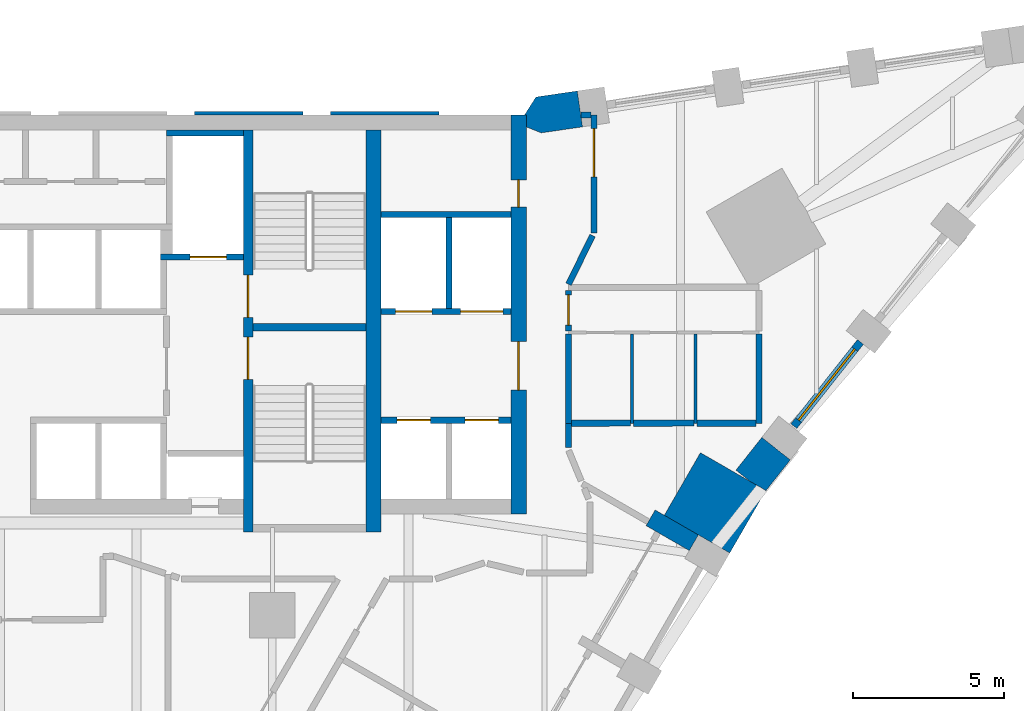
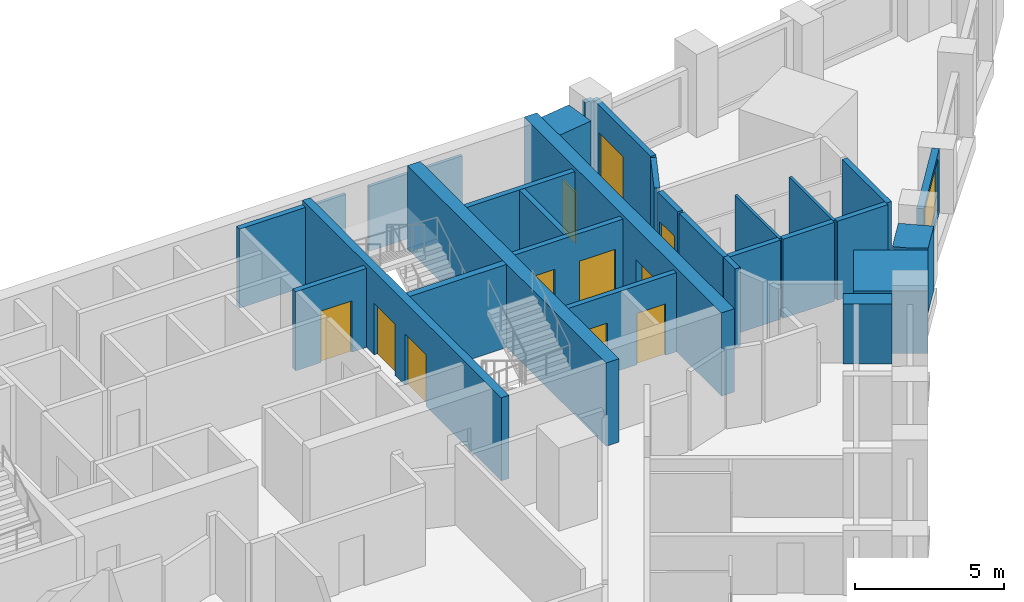
# One storey, part 8 of 11: 29 walls, 11 doors, 1 window, 12 openings.
"""IFC4 building model written with IfcOpenShell, lengths in metres."""

from ifc_helpers import new_model, si_unit, direction, frame, frame_2d, origin, place, context, subcontext, project, spatial, polyline, rectangle, outline, extrude, material, layer, layer_set, type_object, element, fill, save


model = new_model("IFC4")

# Units and contexts
model_context = context("Model", 3, precision=1e-05, world=origin(), true_north=direction((0.0, 1.0)))
body_context = subcontext(model_context, "Body", "Model", "MODEL_VIEW")
ifc_project = project(units=[si_unit("LENGTHUNIT", "METRE"), si_unit("AREAUNIT", "SQUARE_METRE"), si_unit("VOLUMEUNIT", "CUBIC_METRE"), si_unit("PLANEANGLEUNIT", "RADIAN"), si_unit("MASSUNIT", "GRAM", prefix="KILO")], contexts=[model_context])

# Site, building, storey
site_placement = place(None, origin())
site = spatial("IfcSite", under=ifc_project, at=site_placement, CompositionType="ELEMENT")
building_placement = place(site_placement, origin())
building = spatial("IfcBuilding", under=site, at=building_placement, Name="Calabash Gate Tower", CompositionType="ELEMENT")
storey_placement = place(building_placement, frame((0.0, 0.0, 115.60009765625)))
storey = spatial("IfcBuildingStorey", under=building, at=storey_placement, Name="L26", CompositionType="ELEMENT", Elevation=115.60009765625)

# Walls
ifc_material_1 = material(Name="Terracotta brick masonry, exposed face", Category="masonry")
ifc_layer_1 = layer(ifc_material_1, 2.5)
ifc_layer_set_1 = layer_set([ifc_layer_1], Name="Brick corner mass wall 2500")
wall_type_1 = type_object("IfcWallType", Name="Brick corner mass wall 2500", PredefinedType="SOLIDWALL", material=ifc_layer_set_1)
wall_1_placement = place(storey_placement, origin())
element("IfcWall", 1, at=wall_1_placement, inside=storey, type_object=wall_type_1, Name="Brick corner pier S07 2", PredefinedType="SOLIDWALL", context=body_context, shape_type="SweptSolid", body=[
    extrude(outline(polyline([(21.96630859375, 5.80859375), (23.09228515625, 5.15869140625), (23.09228515625, 5.15869140625), (24.131591796875, 4.558837890625), (25.326416015625, 6.628173828125), (23.161376953125, 7.878173828125), (21.96630859375, 5.80859375)])), origin(), (0.0, 0.0, 1.0), 2.5517578125),
])
ifc_material_2 = material(Name="Terracotta brick masonry, exposed face", Category="masonry")
ifc_layer_2 = layer(ifc_material_2, 1.199951171875)
ifc_layer_set_2 = layer_set([ifc_layer_2], Name="Brick end wall 1200")
wall_type_2 = type_object("IfcWallType", Name="Brick end wall 1200", PredefinedType="SOLIDWALL", material=ifc_layer_set_2)
wall_2_placement = place(storey_placement, origin())
element("IfcWall", 2, at=wall_2_placement, inside=storey, type_object=wall_type_2, Name="Brick end wall S07 1", PredefinedType="SOLIDWALL", context=body_context, shape_type="SweptSolid", body=[
    extrude(outline(polyline([(25.193115234375, 8.38427734375), (24.336181640625, 7.30029296875), (24.806640625, 6.92822265625), (25.326416015625, 6.628173828125), (25.304443359375, 6.59033203125), (26.134521484375, 7.639892578125), (25.193115234375, 8.38427734375)])), origin(), (0.0, 0.0, 1.0), 2.6298828125),
])
wall_3_placement = place(storey_placement, origin())
element("IfcWall", 3, at=wall_3_placement, inside=storey, type_object=wall_type_2, Name="Brick end wall S07 3", PredefinedType="SOLIDWALL", context=body_context, shape_type="SweptSolid", body=[
    extrude(outline(polyline([(17.7197265625, 19.646240234375), (17.341796875, 19.052490234375), (17.39990234375, 19.052490234375), (17.39990234375, 18.655517578125), (17.893798828125, 18.458984375), (19.2607421875, 18.6591796875), (19.0869140625, 19.8466796875), (17.7197265625, 19.646240234375)])), origin(), (0.0, 0.0, 1.0), 2.64990234375),
])
ifc_material_3 = material(Name="Terracotta brick masonry, exposed face", Category="masonry")
ifc_layer_3 = layer(ifc_material_3, 0.300048828125)
ifc_layer_set_3 = layer_set([ifc_layer_3], Name="Brick loggia cheek wall 300")
wall_type_3 = type_object("IfcWallType", Name="Brick loggia cheek wall 300", PredefinedType="SOLIDWALL", material=ifc_layer_set_3)
wall_4_placement = place(storey_placement, frame((22.942138671875, 4.89892578125, 0.0), z_axis=(0.0, 0.0, 1.0), x_axis=(-0.866003217194, 0.500038426333, 0.0)))
element("IfcWall", 4, at=wall_4_placement, inside=storey, type_object=wall_type_3, Name="Loggia cheek S07 SE2.8", PredefinedType="SOLIDWALL", context=body_context, shape_type="SweptSolid", body=[
    extrude(rectangle(XDim=1.649658203125, YDim=0.60009765625, at=frame_2d((0.82470703125, 0.0))), origin(), (0.0, 0.0, 1.0), 2.449951171875),
])
ifc_material_4 = material(Name="Concrete C80/95", Category="concrete")
ifc_layer_4 = layer(ifc_material_4, 0.25)
ifc_layer_set_4 = layer_set([ifc_layer_4], Name="Core wall 250 Concrete C80/95")
wall_type_4 = type_object("IfcWallType", Name="Core wall 250 Concrete C80/95", PredefinedType="SHEAR", material=ifc_layer_set_4)
wall_5_placement = place(storey_placement, frame((8.35009765625, 12.027587890625, 0.0), z_axis=(0.0, 0.0, 1.0), x_axis=(1.0, 0.0, 0.0)))
element("IfcWall", 5, at=wall_5_placement, inside=storey, type_object=wall_type_4, Name="Core wall Z2-MIDE L26", PredefinedType="SHEAR", context=body_context, shape_type="SweptSolid", body=[
    extrude(rectangle(XDim=3.75, YDim=0.25, at=frame_2d((1.875, 0.0))), origin(), (0.0, 0.0, 1.0), 3.39990234375),
])

# Wall, openings, doors
ifc_material_5 = material(Name="Concrete C80/95", Category="concrete")
ifc_layer_5 = layer(ifc_material_5, 0.300048828125)
ifc_layer_set_5 = layer_set([ifc_layer_5], Name="Core wall 300 Concrete C80/95")
wall_type_5 = type_object("IfcWallType", Name="Core wall 300 Concrete C80/95", PredefinedType="SHEAR", material=ifc_layer_set_5)
wall_6_placement = place(storey_placement, frame((8.199951171875, 5.252685546875, 0.0), z_axis=(0.0, 0.0, 1.0), x_axis=(0.0, 1.0, 0.0)))
wall_6 = element("IfcWall", 6, at=wall_6_placement, inside=storey, type_object=wall_type_5, Name="Core wall Z2-PARTE L26", PredefinedType="SHEAR", context=body_context, shape_type="SweptSolid", body=[
    extrude(rectangle(XDim=13.2998046875, YDim=0.300048828125, at=frame_2d((6.64990234375, 0.0))), origin(), (0.0, 0.0, 1.0), 3.39990234375),
])
opening_1_placement = place(wall_6_placement, frame((7.10009765625, 0.0, 0.0)))
opening_1 = element("IfcOpeningElement", 7, at=opening_1_placement, cuts=wall_6, Name="Opening H7-016", PredefinedType="OPENING", context=body_context, shape_type="SweptSolid", body=[
    extrude(rectangle(XDim=1.39990234375, YDim=2.10009765625, at=frame_2d((0.699951171875, 1.050048828125))), frame((0.0, 0.159912109375, 0.0), z_axis=(0.0, -1.0, 0.0), x_axis=(1.0, 0.0, 0.0)), (0.0, 0.0, 1.0), 0.320068359375),
])
opening_2_placement = place(wall_6_placement, frame((5.050048828125, 0.0, 0.0)))
opening_2 = element("IfcOpeningElement", 8, at=opening_2_placement, cuts=wall_6, Name="Opening H7-017", PredefinedType="OPENING", context=body_context, shape_type="SweptSolid", body=[
    extrude(rectangle(XDim=1.39990234375, YDim=2.10009765625, at=frame_2d((0.699951171875, 1.050048828125))), frame((0.0, 0.159912109375, 0.0), z_axis=(0.0, -1.0, 0.0), x_axis=(1.0, 0.0, 0.0)), (0.0, 0.0, 1.0), 0.320068359375),
])
ifc_material_6 = material(Name="Steel fire door set with fire-resisting glazing", Category="steel")
door_type_1 = type_object("IfcDoorType", Name="Fire door D05 1400x2100 FD90", OperationType="NOTDEFINED", PredefinedType="DOOR", material=ifc_material_6)
door_1_placement = place(opening_1_placement, origin())
door_1 = element("IfcDoor", 9, at=door_1_placement, inside=storey, type_object=door_type_1, Name="Exit stair door ST3", OperationType="SINGLE_SWING_RIGHT", OverallHeight=2.10009765625, OverallWidth=1.39990234375, PredefinedType="DOOR", context=body_context, shape_type="SweptSolid", body=[
    extrude(rectangle(XDim=1.39990234375, YDim=2.10009765625, at=frame_2d((0.699951171875, 1.050048828125))), frame((0.0, 0.02490234375, 0.0), z_axis=(0.0, -1.0, 0.0), x_axis=(1.0, 0.0, 0.0)), (0.0, 0.0, 1.0), 0.050048828125),
])
fill(opening_1, door_1)
door_2_placement = place(opening_2_placement, origin())
door_2 = element("IfcDoor", 10, at=door_2_placement, inside=storey, type_object=door_type_1, Name="Exit stair door ST4", OperationType="SINGLE_SWING_LEFT", OverallHeight=2.10009765625, OverallWidth=1.39990234375, PredefinedType="DOOR", context=body_context, shape_type="SweptSolid", body=[
    extrude(rectangle(XDim=1.39990234375, YDim=2.10009765625, at=frame_2d((0.699951171875, 1.050048828125))), frame((0.0, 0.02490234375, 0.0), z_axis=(0.0, -1.0, 0.0), x_axis=(1.0, 0.0, 0.0)), (0.0, 0.0, 1.0), 0.050048828125),
])
fill(opening_2, door_2)

# Wall
ifc_material_7 = material(Name="Concrete C80/95", Category="concrete")
ifc_layer_6 = layer(ifc_material_7, 0.5)
ifc_layer_set_6 = layer_set([ifc_layer_6], Name="Core wall 500 Concrete C80/95")
wall_type_6 = type_object("IfcWallType", Name="Core wall 500 Concrete C80/95", PredefinedType="SHEAR", material=ifc_layer_set_6)
wall_7_placement = place(storey_placement, frame((12.35009765625, 5.252685546875, 0.0), z_axis=(0.0, 0.0, 1.0), x_axis=(0.0, 1.0, 0.0)))
element("IfcWall", 11, at=wall_7_placement, inside=storey, type_object=wall_type_6, Name="Core wall Z2-COLE L26", PredefinedType="SHEAR", context=body_context, shape_type="SweptSolid", body=[
    extrude(rectangle(XDim=13.2998046875, YDim=0.5, at=frame_2d((6.64990234375, 0.0))), origin(), (0.0, 0.0, 1.0), 3.39990234375),
])

# Wall, openings, doors
wall_8_placement = place(storey_placement, frame((17.14990234375, 5.8525390625, 0.0), z_axis=(0.0, 0.0, 1.0), x_axis=(0.0, 1.0, 0.0)))
wall_8 = element("IfcWall", 12, at=wall_8_placement, inside=storey, type_object=wall_type_6, Name="Core wall Z2-ENDE L26", PredefinedType="SHEAR", context=body_context, shape_type="SweptSolid", body=[
    extrude(rectangle(XDim=13.199951171875, YDim=0.5, at=frame_2d((6.60009765625, 0.0))), origin(), (0.0, 0.0, 1.0), 3.39990234375),
])
opening_3_placement = place(wall_8_placement, frame((4.10009765625, 0.0, 0.0)))
opening_3 = element("IfcOpeningElement", 13, at=opening_3_placement, cuts=wall_8, Name="Opening H7-002", PredefinedType="OPENING", context=body_context, shape_type="SweptSolid", body=[
    extrude(rectangle(XDim=1.60009765625, YDim=2.10009765625, at=frame_2d((0.800048828125, 1.050048828125))), frame((0.0, 0.260009765625, 0.0), z_axis=(0.0, -1.0, 0.0), x_axis=(1.0, 0.0, 0.0)), (0.0, 0.0, 1.0), 0.52001953125),
])
opening_4_placement = place(wall_8_placement, frame((10.14990234375, 0.0, 0.0)))
opening_4 = element("IfcOpeningElement", 14, at=opening_4_placement, cuts=wall_8, Name="Opening H7-001", PredefinedType="OPENING", context=body_context, shape_type="SweptSolid", body=[
    extrude(rectangle(XDim=0.89990234375, YDim=2.10009765625, at=frame_2d((0.449951171875, 1.050048828125))), frame((0.0, 0.260009765625, 0.0), z_axis=(0.0, -1.0, 0.0), x_axis=(1.0, 0.0, 0.0)), (0.0, 0.0, 1.0), 0.52001953125),
])
ifc_material_8 = material(Name="Steel fire door set with fire-resisting glazing", Category="steel")
door_type_2 = type_object("IfcDoorType", Name="Double fire door D08 1600x2100 FD60", OperationType="DOUBLE_DOOR_SINGLE_SWING", PredefinedType="DOOR", material=ifc_material_8)
door_3_placement = place(opening_3_placement, origin())
door_3 = element("IfcDoor", 15, at=door_3_placement, inside=storey, type_object=door_type_2, Name="Low-rise Lift Lobby E door", OperationType="DOUBLE_DOOR_SINGLE_SWING", OverallHeight=2.10009765625, OverallWidth=1.60009765625, PredefinedType="DOOR", context=body_context, shape_type="SweptSolid", body=[
    extrude(rectangle(XDim=1.60009765625, YDim=2.10009765625, at=frame_2d((0.800048828125, 1.050048828125))), frame((0.0, 0.02490234375, 0.0), z_axis=(0.0, -1.0, 0.0), x_axis=(1.0, 0.0, 0.0)), (0.0, 0.0, 1.0), 0.050048828125),
])
fill(opening_3, door_3)
ifc_material_9 = material(Name="Steel fire door set with fire-resisting glazing", Category="steel")
door_type_3 = type_object("IfcDoorType", Name="Fire door D06 900x2100 FD60", OperationType="NOTDEFINED", PredefinedType="DOOR", material=ifc_material_9)
door_4_placement = place(opening_4_placement, origin())
door_4 = element("IfcDoor", 16, at=door_4_placement, inside=storey, type_object=door_type_3, Name="Cleaner's Store door", OperationType="SINGLE_SWING_LEFT", OverallHeight=2.10009765625, OverallWidth=0.89990234375, PredefinedType="DOOR", context=body_context, shape_type="SweptSolid", body=[
    extrude(rectangle(XDim=0.89990234375, YDim=2.10009765625, at=frame_2d((0.449951171875, 1.050048828125))), frame((0.0, 0.02490234375, 0.0), z_axis=(0.0, -1.0, 0.0), x_axis=(1.0, 0.0, 0.0)), (0.0, 0.0, 1.0), 0.050048828125),
])
fill(opening_4, door_4)

# Walls
ifc_material_10 = material(Name="Gypsum board on steel studs, mineral wool", Category="steel")
ifc_layer_7 = layer(ifc_material_10, 0.10009765625)
ifc_layer_set_7 = layer_set([ifc_layer_7], Name="Partition 100 gypsum board")
wall_type_7 = type_object("IfcWallType", Name="Partition 100 gypsum board", PredefinedType="PARTITIONING", material=ifc_layer_set_7)
for number, where, z_axis, x_axis, name in (
    (17, (20.900146484375, 8.852294921875, 0.0), (0.0, 0.0, 1.0), (0.000662525735, 0.99999978053, 0.0), "Partition"),
    (18, (23.000244140625, 8.852294921875, 0.0), (0.0, 0.0, 1.0), (0.000579710048, 0.999999831968, 0.0), "Partition"),
):
    element("IfcWall", number, at=place(storey_placement, frame(where, z_axis=z_axis, x_axis=x_axis)), inside=storey, type_object=wall_type_7, Name=name, PredefinedType="PARTITIONING", context=body_context, shape_type="SweptSolid", body=[
        extrude(rectangle(XDim=2.947998046875, YDim=0.10009765625, at=frame_2d((1.47412109375, 0.0))), origin(), (0.0, 0.0, 1.0), 3.22998046875),
    ])
ifc_material_11 = material(Name="Gypsum board on steel studs, mineral wool", Category="steel")
ifc_layer_8 = layer(ifc_material_11, 0.199951171875)
ifc_layer_set_8 = layer_set([ifc_layer_8], Name="Partition 200 gypsum board EI 60")
wall_type_8 = type_object("IfcWallType", Name="Partition 200 gypsum board EI 60", PredefinedType="PARTITIONING", material=ifc_layer_set_8)
wall_9_placement = place(storey_placement, frame((18.80078125, 8.052734375, 0.0), z_axis=(0.0, 0.0, 1.0), x_axis=(0.001527182092, 0.999998833857, 0.0)))
element("IfcWall", 19, at=wall_9_placement, inside=storey, type_object=wall_type_8, Name="Partition", PredefinedType="PARTITIONING", context=body_context, shape_type="SweptSolid", body=[
    extrude(rectangle(XDim=0.79931640625, YDim=0.199951171875, at=frame_2d((0.399658203125, 0.0))), origin(), (0.0, 0.0, 1.0), 3.22998046875),
])
wall_10_placement = place(storey_placement, frame((18.900146484375, 8.852294921875, 0.0), z_axis=(0.0, 0.0, 1.0), x_axis=(0.999999615941, 0.000876423853, 0.0)))
element("IfcWall", 20, at=wall_10_placement, inside=storey, type_object=wall_type_8, Name="Partition", PredefinedType="PARTITIONING", context=body_context, shape_type="SweptSolid", body=[
    extrude(rectangle(XDim=1.949951171875, YDim=0.199951171875, at=frame_2d((0.97509765625, 0.0))), origin(), (0.0, 0.0, 1.0), 3.22998046875),
])
wall_11_placement = place(storey_placement, frame((20.9501953125, 8.852294921875, 0.0), z_axis=(0.0, 0.0, 1.0), x_axis=(0.999999634833, 0.000854596196, 0.0)))
element("IfcWall", 21, at=wall_11_placement, inside=storey, type_object=wall_type_8, Name="Partition", PredefinedType="PARTITIONING", context=body_context, shape_type="SweptSolid", body=[
    extrude(rectangle(XDim=1.999755859375, YDim=0.199951171875, at=frame_2d((1.0, 0.0))), origin(), (0.0, 0.0, 1.0), 3.22998046875),
])
wall_12_placement = place(storey_placement, frame((23.05029296875, 8.852294921875, 0.0), z_axis=(0.0, 0.0, 1.0), x_axis=(1.0, 0.0, 0.0)))
element("IfcWall", 22, at=wall_12_placement, inside=storey, type_object=wall_type_8, Name="Partition", PredefinedType="PARTITIONING", context=body_context, shape_type="SweptSolid", body=[
    extrude(rectangle(XDim=1.94970703125, YDim=0.199951171875, at=frame_2d((0.974853515625, 0.0))), origin(), (0.0, 0.0, 1.0), 3.22998046875),
])
for number, where, z_axis, x_axis, name in (
    (23, (25.098388671875, 11.802001953125, 0.0), (0.0, 0.0, 1.0), (0.000579374179, -0.999999832163, 0.0), "Partition"),
    (24, (18.80029296875, 8.852294921875, 0.0), (0.0, 0.0, 1.0), (0.000579374179, 0.999999832163, 0.0), "Partition"),
):
    element("IfcWall", number, at=place(storey_placement, frame(where, z_axis=z_axis, x_axis=x_axis)), inside=storey, type_object=wall_type_8, Name=name, PredefinedType="PARTITIONING", context=body_context, shape_type="SweptSolid", body=[
        extrude(rectangle(XDim=2.94970703125, YDim=0.199951171875, at=frame_2d((1.474853515625, 0.0))), origin(), (0.0, 0.0, 1.0), 3.22998046875),
    ])

# Wall, opening, door
wall_13_placement = place(storey_placement, frame((18.80029296875, 11.90234375, 0.0), z_axis=(0.0, 0.0, 1.0), x_axis=(0.001267655628, 0.999999196524, 0.0)))
wall_13 = element("IfcWall", 25, at=wall_13_placement, inside=storey, type_object=wall_type_8, Name="Partition", PredefinedType="PARTITIONING", context=body_context, shape_type="SweptSolid", body=[
    extrude(rectangle(XDim=1.34814453125, YDim=0.199951171875, at=frame_2d((0.674072265625, 0.0))), origin(), (0.0, 0.0, 1.0), 3.22998046875),
])
opening_5_placement = place(wall_13_placement, frame((0.199951171875, 0.0, 0.0)))
opening_5 = element("IfcOpeningElement", 26, at=opening_5_placement, cuts=wall_13, Name="Opening 25-27-018", PredefinedType="OPENING", context=body_context, shape_type="SweptSolid", body=[
    extrude(rectangle(XDim=1.0, YDim=2.10009765625, at=frame_2d((0.5, 1.050048828125))), frame((0.0, 0.10986328125, 0.0), z_axis=(0.0, -1.0, 0.0), x_axis=(1.0, 0.0, 0.0)), (0.0, 0.0, 1.0), 0.219970703125),
])
ifc_material_12 = material(Name="Steel fire door set with fire-resisting glazing", Category="steel")
door_type_4 = type_object("IfcDoorType", Name="WD3 WC lobby door 1000x2100", OperationType="NOTDEFINED", PredefinedType="DOOR", material=ifc_material_12)
door_5_placement = place(opening_5_placement, origin())
door_5 = element("IfcDoor", 27, at=door_5_placement, inside=storey, type_object=door_type_4, Name="WC lobby door", OperationType="SINGLE_SWING_LEFT", OverallHeight=2.10009765625, OverallWidth=1.0, PredefinedType="DOOR", context=body_context, shape_type="SweptSolid", body=[
    extrude(rectangle(XDim=1.0, YDim=2.10009765625, at=frame_2d((0.5, 1.050048828125))), frame((0.0, 0.02490234375, 0.0), z_axis=(0.0, -1.0, 0.0), x_axis=(1.0, 0.0, 0.0)), (0.0, 0.0, 1.0), 0.050048828125),
])
fill(opening_5, door_5)

# Wall
wall_14_placement = place(storey_placement, frame((18.800537109375, 13.452392578125, 0.0), z_axis=(0.0, 0.0, 1.0), x_axis=(0.440230384159, 0.897884852786, 0.0)))
element("IfcWall", 28, at=wall_14_placement, inside=storey, type_object=wall_type_8, Name="Partition", PredefinedType="PARTITIONING", context=body_context, shape_type="SweptSolid", body=[
    extrude(rectangle(XDim=1.79345703125, YDim=0.199951171875, at=frame_2d((0.896728515625, 0.0))), origin(), (0.0, 0.0, 1.0), 3.22998046875),
])

# Wall, opening, door
wall_15_placement = place(storey_placement, frame((19.634033203125, 15.152587890625, 0.0), z_axis=(0.0, 0.0, 1.0), x_axis=(0.0, 1.0, 0.0)))
wall_15 = element("IfcWall", 29, at=wall_15_placement, inside=storey, type_object=wall_type_8, Name="Partition", PredefinedType="PARTITIONING", context=body_context, shape_type="SweptSolid", body=[
    extrude(rectangle(XDim=3.89990234375, YDim=0.199951171875, at=frame_2d((1.949951171875, 0.0))), origin(), (0.0, 0.0, 1.0), 3.22998046875),
])
opening_6_placement = place(wall_15_placement, frame((1.85009765625, 0.0, 0.0)))
opening_6 = element("IfcOpeningElement", 30, at=opening_6_placement, cuts=wall_15, Name="Opening 25-27-024", PredefinedType="OPENING", context=body_context, shape_type="SweptSolid", body=[
    extrude(rectangle(XDim=1.60009765625, YDim=2.10009765625, at=frame_2d((0.800048828125, 1.050048828125))), frame((0.0, 0.10986328125, 0.0), z_axis=(0.0, -1.0, 0.0), x_axis=(1.0, 0.0, 0.0)), (0.0, 0.0, 1.0), 0.219970703125),
])
ifc_material_13 = material(Name="Steel fire door set with fire-resisting glazing", Category="steel")
door_type_5 = type_object("IfcDoorType", Name="LD1 Lounge double door 1600x2100", OperationType="NOTDEFINED", PredefinedType="DOOR", material=ifc_material_13)
door_6_placement = place(opening_6_placement, origin())
door_6 = element("IfcDoor", 31, at=door_6_placement, inside=storey, type_object=door_type_5, Name="Lounge double door", OperationType="DOUBLE_DOOR_SINGLE_SWING", OverallHeight=2.10009765625, OverallWidth=1.60009765625, PredefinedType="DOOR", context=body_context, shape_type="SweptSolid", body=[
    extrude(rectangle(XDim=1.60009765625, YDim=2.10009765625, at=frame_2d((0.800048828125, 1.050048828125))), frame((0.0, 0.02490234375, 0.0), z_axis=(0.0, -1.0, 0.0), x_axis=(1.0, 0.0, 0.0)), (0.0, 0.0, 1.0), 0.050048828125),
])
fill(opening_6, door_6)

# Wall
wall_16_placement = place(storey_placement, frame((19.203125, 19.052734375, 0.0), z_axis=(0.0, 0.0, 1.0), x_axis=(0.999999728074, -0.000737462926, 0.0)))
element("IfcWall", 32, at=wall_16_placement, inside=storey, type_object=wall_type_8, Name="Partition", PredefinedType="PARTITIONING", context=body_context, shape_type="SweptSolid", body=[
    extrude(rectangle(XDim=0.3310546875, YDim=0.199951171875, at=frame_2d((0.16552734375, 0.0))), origin(), (0.0, 0.0, 1.0), 3.22998046875),
])

# Wall, opening, window
ifc_material_14 = material(Name="Aluminium framed window wall with insulated spandrel", Category="aluminium")
ifc_layer_9 = layer(ifc_material_14, 0.25)
ifc_layer_set_9 = layer_set([ifc_layer_9], Name="Prow window wall 250")
wall_type_9 = type_object("IfcWallType", Name="Prow window wall 250", PredefinedType="ELEMENTEDWALL", material=ifc_layer_set_9)
wall_17_placement = place(storey_placement, frame((26.253173828125, 8.757080078125, 0.0), z_axis=(0.0, 0.0, 1.0), x_axis=(0.620259189042, 0.784396926568, 0.0)))
wall_17 = element("IfcWall", 33, at=wall_17_placement, inside=storey, type_object=wall_type_9, Name="Prow window wall S07 wedge3.1", PredefinedType="ELEMENTEDWALL", context=body_context, shape_type="SweptSolid", body=[
    extrude(rectangle(XDim=3.552001953125, YDim=0.25, at=frame_2d((1.77587890625, 0.0))), origin(), (0.0, 0.0, 1.0), 2.6298828125),
])
opening_7_placement = place(wall_17_placement, frame((0.25, 0.0, 0.300048828125)))
opening_7 = element("IfcOpeningElement", 34, at=opening_7_placement, cuts=wall_17, Name="Opening WP1L-2130", PredefinedType="OPENING", context=body_context, shape_type="SweptSolid", body=[
    extrude(rectangle(XDim=3.0, YDim=2.1298828125, at=frame_2d((1.5, 1.06494140625))), frame((0.0, 0.135009765625, 0.0), z_axis=(0.0, -1.0, 0.0), x_axis=(1.0, 0.0, 0.0)), (0.0, 0.0, 1.0), 0.27001953125),
])
ifc_material_15 = material(Name="Anodised aluminium frame, bronze finish, impact-rated laminated clear glazing", Category="aluminium")
window_type = type_object("IfcWindowType", Name="Window WP1L 3000x2130", PartitioningType="DOUBLE_PANEL_VERTICAL", PredefinedType="WINDOW", material=ifc_material_15)
window_placement = place(opening_7_placement, origin())
window = element("IfcWindow", 35, at=window_placement, inside=storey, type_object=window_type, Name="Prow window WP1L S07 wedge3.1", OverallHeight=2.1298828125, OverallWidth=3.0, PartitioningType="SINGLE_PANEL", PredefinedType="WINDOW", context=body_context, shape_type="SweptSolid", body=[
    extrude(rectangle(XDim=3.0, YDim=2.1298828125, at=frame_2d((1.5, 1.06494140625))), frame((0.0, 0.030029296875, 0.0), z_axis=(0.0, -1.0, 0.0), x_axis=(1.0, 0.0, 0.0)), (0.0, 0.0, 1.0), 0.06005859375),
])
fill(opening_7, window)

# Wall, openings, doors
ifc_material_16 = material(Name="Concrete C40/50", Category="concrete")
ifc_layer_10 = layer(ifc_material_16, 0.199951171875)
ifc_layer_set_10 = layer_set([ifc_layer_10], Name="Shaft wall 200 Concrete C40/50")
wall_type_10 = type_object("IfcWallType", Name="Shaft wall 200 Concrete C40/50", PredefinedType="SOLIDWALL", material=ifc_layer_set_10)
wall_18_placement = place(storey_placement, frame((12.60009765625, 8.95263671875, 0.0), z_axis=(0.0, 0.0, 1.0), x_axis=(1.0, 0.0, 0.0)))
wall_18 = element("IfcWall", 36, at=wall_18_placement, inside=storey, type_object=wall_type_10, Name="Shaft wall", PredefinedType="SOLIDWALL", context=body_context, shape_type="SweptSolid", body=[
    extrude(rectangle(XDim=4.2998046875, YDim=0.199951171875, at=frame_2d((2.14990234375, 0.0))), origin(), (0.0, 0.0, 1.0), 3.22998046875),
])
opening_8_placement = place(wall_18_placement, frame((0.52490234375, 0.0, 0.0)))
opening_8 = element("IfcOpeningElement", 37, at=opening_8_placement, cuts=wall_18, Name="Opening LD-LR5", PredefinedType="OPENING", context=body_context, shape_type="SweptSolid", body=[
    extrude(rectangle(XDim=1.10009765625, YDim=2.10009765625, at=frame_2d((0.550048828125, 1.050048828125))), frame((0.0, 0.10986328125, 0.0), z_axis=(0.0, -1.0, 0.0), x_axis=(1.0, 0.0, 0.0)), (0.0, 0.0, 1.0), 0.219970703125),
])
opening_9_placement = place(wall_18_placement, frame((2.77490234375, 0.0, 0.0)))
opening_9 = element("IfcOpeningElement", 38, at=opening_9_placement, cuts=wall_18, Name="Opening LD-LR6", PredefinedType="OPENING", context=body_context, shape_type="SweptSolid", body=[
    extrude(rectangle(XDim=1.10009765625, YDim=2.10009765625, at=frame_2d((0.550048828125, 1.050048828125))), frame((0.0, 0.10986328125, 0.0), z_axis=(0.0, -1.0, 0.0), x_axis=(1.0, 0.0, 0.0)), (0.0, 0.0, 1.0), 0.219970703125),
])
ifc_material_17 = material(Name="Stainless steel sliding door leaves", Category="steel")
door_type_6 = type_object("IfcDoorType", Name="Lift landing door LS1 1100x2100 FD90", OperationType="DOUBLE_DOOR_SLIDING", PredefinedType="DOOR", material=ifc_material_17)
door_7_placement = place(opening_8_placement, origin())
door_7 = element("IfcDoor", 39, at=door_7_placement, inside=storey, type_object=door_type_6, Name="Lift landing door LR5", OperationType="DOUBLE_DOOR_SLIDING", OverallHeight=2.10009765625, OverallWidth=1.10009765625, PredefinedType="DOOR", context=body_context, shape_type="SweptSolid", body=[
    extrude(rectangle(XDim=1.10009765625, YDim=2.10009765625, at=frame_2d((0.550048828125, 1.050048828125))), frame((0.0, 0.02490234375, 0.0), z_axis=(0.0, -1.0, 0.0), x_axis=(1.0, 0.0, 0.0)), (0.0, 0.0, 1.0), 0.050048828125),
])
fill(opening_8, door_7)
door_8_placement = place(opening_9_placement, origin())
door_8 = element("IfcDoor", 40, at=door_8_placement, inside=storey, type_object=door_type_6, Name="Lift landing door LR6", OperationType="DOUBLE_DOOR_SLIDING", OverallHeight=2.10009765625, OverallWidth=1.10009765625, PredefinedType="DOOR", context=body_context, shape_type="SweptSolid", body=[
    extrude(rectangle(XDim=1.10009765625, YDim=2.10009765625, at=frame_2d((0.550048828125, 1.050048828125))), frame((0.0, 0.02490234375, 0.0), z_axis=(0.0, -1.0, 0.0), x_axis=(1.0, 0.0, 0.0)), (0.0, 0.0, 1.0), 0.050048828125),
])
fill(opening_9, door_8)

wall_19_placement = place(storey_placement, frame((12.60009765625, 12.552490234375, 0.0), z_axis=(0.0, 0.0, 1.0), x_axis=(1.0, 0.0, 0.0)))
wall_19 = element("IfcWall", 41, at=wall_19_placement, inside=storey, type_object=wall_type_10, Name="Shaft wall", PredefinedType="SOLIDWALL", context=body_context, shape_type="SweptSolid", body=[
    extrude(rectangle(XDim=4.2998046875, YDim=0.199951171875, at=frame_2d((2.14990234375, 0.0))), origin(), (0.0, 0.0, 1.0), 3.22998046875),
])
opening_10_placement = place(wall_19_placement, frame((0.47509765625, 0.0, 0.0)))
opening_10 = element("IfcOpeningElement", 42, at=opening_10_placement, cuts=wall_19, Name="Opening LD-SL1", PredefinedType="OPENING", context=body_context, shape_type="SweptSolid", body=[
    extrude(rectangle(XDim=1.199951171875, YDim=2.10009765625, at=frame_2d((0.60009765625, 1.050048828125))), frame((0.0, 0.10986328125, 0.0), z_axis=(0.0, -1.0, 0.0), x_axis=(1.0, 0.0, 0.0)), (0.0, 0.0, 1.0), 0.219970703125),
])
opening_11_placement = place(wall_19_placement, frame((2.625, 0.0, 0.0)))
opening_11 = element("IfcOpeningElement", 43, at=opening_11_placement, cuts=wall_19, Name="Opening LD-GL1", PredefinedType="OPENING", context=body_context, shape_type="SweptSolid", body=[
    extrude(rectangle(XDim=1.39990234375, YDim=2.10009765625, at=frame_2d((0.699951171875, 1.050048828125))), frame((0.0, 0.10986328125, 0.0), z_axis=(0.0, -1.0, 0.0), x_axis=(1.0, 0.0, 0.0)), (0.0, 0.0, 1.0), 0.219970703125),
])
ifc_material_18 = material(Name="Stainless steel sliding door leaves", Category="steel")
door_type_7 = type_object("IfcDoorType", Name="Lift landing door LS3 1200x2100 FD90", OperationType="DOUBLE_DOOR_SLIDING", PredefinedType="DOOR", material=ifc_material_18)
door_9_placement = place(opening_10_placement, origin())
door_9 = element("IfcDoor", 44, at=door_9_placement, inside=storey, type_object=door_type_7, Name="Lift landing door SL1", OperationType="DOUBLE_DOOR_SLIDING", OverallHeight=2.10009765625, OverallWidth=1.199951171875, PredefinedType="DOOR", context=body_context, shape_type="SweptSolid", body=[
    extrude(rectangle(XDim=1.199951171875, YDim=2.10009765625, at=frame_2d((0.60009765625, 1.050048828125))), frame((0.0, 0.02490234375, 0.0), z_axis=(0.0, -1.0, 0.0), x_axis=(1.0, 0.0, 0.0)), (0.0, 0.0, 1.0), 0.050048828125),
])
fill(opening_10, door_9)
ifc_material_19 = material(Name="Stainless steel sliding door leaves", Category="steel")
door_type_8 = type_object("IfcDoorType", Name="Lift landing door LS4 1400x2100 FD90", OperationType="DOUBLE_DOOR_SLIDING", PredefinedType="DOOR", material=ifc_material_19)
door_10_placement = place(opening_11_placement, origin())
door_10 = element("IfcDoor", 45, at=door_10_placement, inside=storey, type_object=door_type_8, Name="Lift landing door GL1", OperationType="DOUBLE_DOOR_SLIDING", OverallHeight=2.10009765625, OverallWidth=1.39990234375, PredefinedType="DOOR", context=body_context, shape_type="SweptSolid", body=[
    extrude(rectangle(XDim=1.39990234375, YDim=2.10009765625, at=frame_2d((0.699951171875, 1.050048828125))), frame((0.0, 0.02490234375, 0.0), z_axis=(0.0, -1.0, 0.0), x_axis=(1.0, 0.0, 0.0)), (0.0, 0.0, 1.0), 0.050048828125),
])
fill(opening_11, door_10)

# Wall
wall_20_placement = place(storey_placement, frame((14.85009765625, 12.652587890625, 0.0), z_axis=(0.0, 0.0, 1.0), x_axis=(0.0, 1.0, 0.0)))
element("IfcWall", 46, at=wall_20_placement, inside=storey, type_object=wall_type_10, Name="Shaft wall", PredefinedType="SOLIDWALL", context=body_context, shape_type="SweptSolid", body=[
    extrude(rectangle(XDim=3.0, YDim=0.199951171875, at=frame_2d((1.5, 0.0))), origin(), (0.0, 0.0, 1.0), 3.22998046875),
])

# Wall, opening, door
wall_21_placement = place(storey_placement, frame((5.300048828125, 14.3525390625, 0.0), z_axis=(0.0, 0.0, 1.0), x_axis=(1.0, 0.0, 0.0)))
wall_21 = element("IfcWall", 47, at=wall_21_placement, inside=storey, type_object=wall_type_10, Name="Shaft wall", PredefinedType="SOLIDWALL", context=body_context, shape_type="SweptSolid", body=[
    extrude(rectangle(XDim=2.75, YDim=0.199951171875, at=frame_2d((1.375, 0.0))), origin(), (0.0, 0.0, 1.0), 3.22998046875),
])
opening_12_placement = place(wall_21_placement, frame((0.97509765625, 0.0, 0.0)))
opening_12 = element("IfcOpeningElement", 48, at=opening_12_placement, cuts=wall_21, Name="Opening LD-FF2", PredefinedType="OPENING", context=body_context, shape_type="SweptSolid", body=[
    extrude(rectangle(XDim=1.199951171875, YDim=2.10009765625, at=frame_2d((0.60009765625, 1.050048828125))), frame((0.0, 0.10986328125, 0.0), z_axis=(0.0, -1.0, 0.0), x_axis=(1.0, 0.0, 0.0)), (0.0, 0.0, 1.0), 0.219970703125),
])
door_11_placement = place(opening_12_placement, origin())
door_11 = element("IfcDoor", 49, at=door_11_placement, inside=storey, type_object=door_type_7, Name="Lift landing door FF2", OperationType="DOUBLE_DOOR_SLIDING", OverallHeight=2.10009765625, OverallWidth=1.199951171875, PredefinedType="DOOR", context=body_context, shape_type="SweptSolid", body=[
    extrude(rectangle(XDim=1.199951171875, YDim=2.10009765625, at=frame_2d((0.60009765625, 1.050048828125))), frame((0.0, 0.02490234375, 0.0), z_axis=(0.0, -1.0, 0.0), x_axis=(1.0, 0.0, 0.0)), (0.0, 0.0, 1.0), 0.050048828125),
])
fill(opening_12, door_11)

# Walls
wall_22_placement = place(storey_placement, frame((12.60009765625, 15.752685546875, 0.0), z_axis=(0.0, 0.0, 1.0), x_axis=(1.0, 0.0, 0.0)))
element("IfcWall", 50, at=wall_22_placement, inside=storey, type_object=wall_type_10, Name="Shaft wall", PredefinedType="SOLIDWALL", context=body_context, shape_type="SweptSolid", body=[
    extrude(rectangle(XDim=4.2998046875, YDim=0.199951171875, at=frame_2d((2.14990234375, 0.0))), origin(), (0.0, 0.0, 1.0), 3.22998046875),
])
wall_23_placement = place(storey_placement, frame((5.5, 18.45263671875, 0.0), z_axis=(0.0, 0.0, 1.0), x_axis=(1.0, 0.0, 0.0)))
element("IfcWall", 51, at=wall_23_placement, inside=storey, type_object=wall_type_10, Name="Shaft wall", PredefinedType="SOLIDWALL", context=body_context, shape_type="SweptSolid", body=[
    extrude(rectangle(XDim=2.550048828125, YDim=0.199951171875, at=frame_2d((1.27490234375, 0.0))), origin(), (0.0, 0.0, 1.0), 3.22998046875),
])
ifc_material_20 = material(Name="Terracotta brick masonry, perforated", Category="masonry")
ifc_layer_11 = layer(ifc_material_20, 0.1201171875)
ifc_layer_set_11 = layer_set([ifc_layer_11], Name="Terracotta jaali cladding A 120")
wall_type_11 = type_object("IfcWallType", Name="Terracotta jaali cladding A 120", PredefinedType="SOLIDWALL", material=ifc_layer_set_11)
wall_24_placement = place(storey_placement, origin())
element("IfcWall", 52, at=wall_24_placement, inside=storey, type_object=wall_type_11, Name="Jaali cladding S07 N6.1", PredefinedType="SOLIDWALL", context=body_context, shape_type="SweptSolid", body=[
    extrude(outline(polyline([(10.9169921875, 19.172607421875), (10.9169921875, 19.052490234375), (14.51708984375, 19.052490234375), (14.51708984375, 19.172607421875), (10.9169921875, 19.172607421875)])), origin(), (0.0, 0.0, 1.0), 2.64990234375),
])
ifc_material_21 = material(Name="Terracotta louvre blades in an aluminium frame", Category="masonry")
ifc_layer_12 = layer(ifc_material_21, 0.1201171875)
ifc_layer_set_12 = layer_set([ifc_layer_12], Name="Terracotta vent louvre cladding 120")
wall_type_12 = type_object("IfcWallType", Name="Terracotta vent louvre cladding 120", PredefinedType="ELEMENTEDWALL", material=ifc_layer_set_12)
wall_25_placement = place(storey_placement, origin())
element("IfcWall", 53, at=wall_25_placement, inside=storey, type_object=wall_type_12, Name="Vent louvre cladding S07 N6.2", PredefinedType="ELEMENTEDWALL", context=body_context, shape_type="SweptSolid", body=[
    extrude(outline(polyline([(6.4169921875, 19.172607421875), (6.4169921875, 19.052490234375), (10.01708984375, 19.052490234375), (10.01708984375, 19.172607421875), (6.4169921875, 19.172607421875)])), origin(), (0.0, 0.0, 1.0), 2.64990234375),
])

save(model, "model.ifc")
